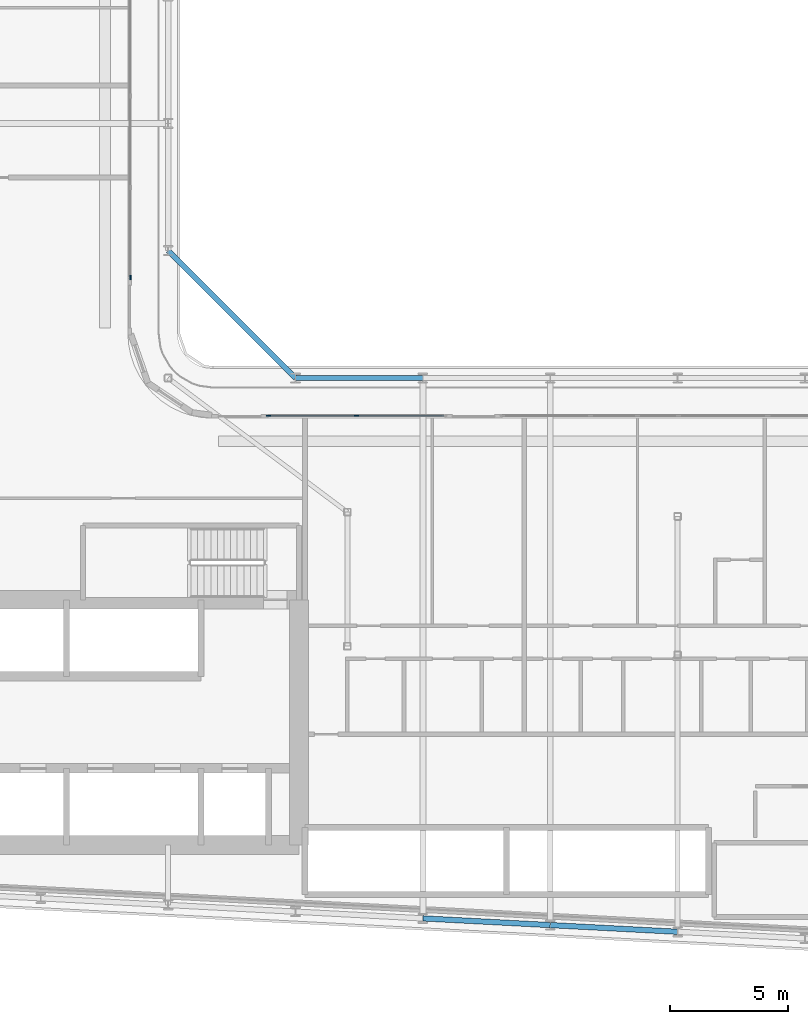
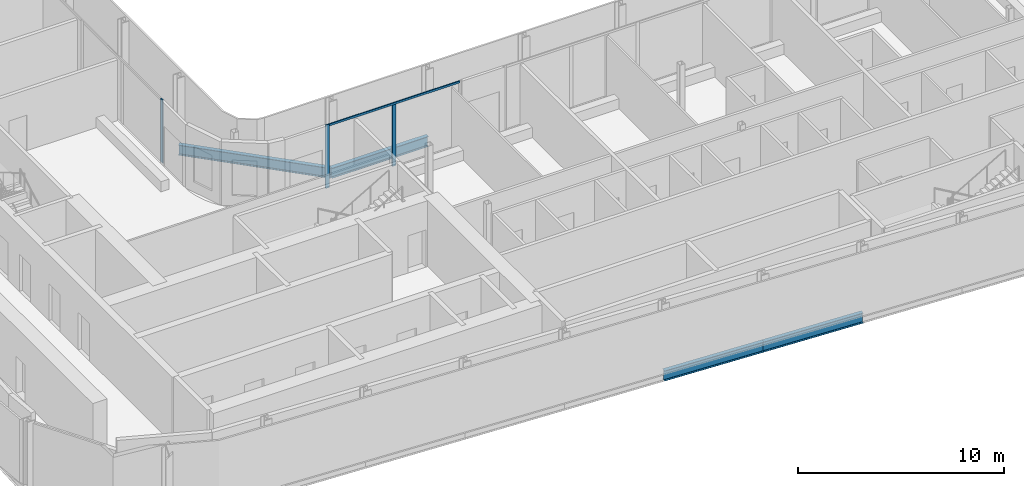
# One storey, part 4 of 27: 4 beams, 4 members, 2 elements without a shape of their own.
"""IFC4 building model written with IfcOpenShell, lengths in metres."""

import ifcopenshell
import ifcopenshell.guid

model = None  # the IFC model being written
_history = None  # IfcOwnerHistory: only IFC2X3 demands one
_inside = {}  # id of a spatial element -> (the spatial element, [elements in it])
_under = {}  # id of a project, library or spatial element -> (it, [spatial elements below it])
_declared = {}  # id of a project -> (the project, [libraries it declares])
_typed = {}  # id of a type object -> (the type object, [elements of that type])
_made_of = {}  # id of a material, layer set ... -> (it, [elements and type objects made of it])


def new_model(schema):
    """Start an empty IFC model of exactly this schema.

    Asked for "IFC4X3", IfcOpenShell would pick the latest addendum, in which some entities
    have other attributes; the version numbers below select the first issue.
    IFC2X3 requires an IfcOwnerHistory on every rooted entity: one is made here for all.
    """
    global model, _history
    if schema == "IFC4X3":
        model = ifcopenshell.file(schema_version=(4, 3, 0, 0))
    else:
        model = ifcopenshell.file(schema=schema)
    _inside.clear()
    _under.clear()
    _declared.clear()
    _typed.clear()
    _made_of.clear()
    _history = None
    if model.schema == "IFC2X3":
        org = make("IfcOrganization", Name="unknown")
        user = make(
            "IfcPersonAndOrganization",
            ThePerson=make("IfcPerson", FamilyName="unknown"),
            TheOrganization=org,
        )
        app = make(
            "IfcApplication",
            ApplicationDeveloper=org,
            Version="unknown",
            ApplicationFullName="unknown",
            ApplicationIdentifier="unknown",
        )
        _history = make(
            "IfcOwnerHistory",
            OwningUser=user,
            OwningApplication=app,
            ChangeAction="ADDED",
            CreationDate=0,
        )
    return model


def make(cls, **values):
    """One entity of the class cls with the attributes given. An attribute that is None is left unset."""
    return model.create_entity(
        cls, **{name: value for name, value in values.items() if value is not None}
    )


def rooted(cls, **values):
    """An entity with a GlobalId (a new one), such as an element, a storey or a relation."""
    return make(cls, GlobalId=ifcopenshell.guid.new(), OwnerHistory=_history, **values)


def si_unit(unit_type, name, prefix=None):
    """IfcSIUnit, for example si_unit("LENGTHUNIT", "METRE", prefix="MILLI")."""
    return make("IfcSIUnit", UnitType=unit_type, Prefix=prefix, Name=name)


def assignment(units):
    """IfcUnitAssignment: the units of a project."""
    return None if units is None else make("IfcUnitAssignment", Units=units)


def point(xyz):
    """IfcCartesianPoint."""
    return None if xyz is None else make("IfcCartesianPoint", Coordinates=xyz)


def direction(xyz):
    """IfcDirection."""
    return None if xyz is None else make("IfcDirection", DirectionRatios=xyz)


def frame(location, z_axis=None, x_axis=None):
    """IfcAxis2Placement3D, a coordinate frame: its origin and axes. An axis left out is left unset."""
    return make(
        "IfcAxis2Placement3D",
        Location=point(location),
        Axis=direction(z_axis),
        RefDirection=direction(x_axis),
    )


def frame_2d(location, x_axis=None):
    """IfcAxis2Placement2D, a coordinate frame in the plane: its origin and x axis."""
    return make(
        "IfcAxis2Placement2D", Location=point(location), RefDirection=direction(x_axis)
    )


def origin():
    """The frame at (0, 0, 0) with its axes left unset."""
    return frame((0.0, 0.0, 0.0))


def origin_2d():
    """The frame at (0, 0) in the plane with its x axis left unset."""
    return frame_2d((0.0, 0.0))


def place(relative_to, where):
    """IfcLocalPlacement: puts the frame where relative to a parent placement (None: the world)."""
    return make(
        "IfcLocalPlacement", PlacementRelTo=relative_to, RelativePlacement=where
    )


def context(
    kind, dimensions, precision=None, world=None, true_north=None, identifier=None
):
    """IfcGeometricRepresentationContext, for example the 3D "Model" context."""
    return make(
        "IfcGeometricRepresentationContext",
        ContextIdentifier=identifier,
        ContextType=kind,
        CoordinateSpaceDimension=dimensions,
        Precision=precision,
        WorldCoordinateSystem=world,
        TrueNorth=true_north,
    )


def subcontext(parent, identifier, kind, view, scale=None):
    """IfcGeometricRepresentationSubContext, for example "Body" below "Model"."""
    return make(
        "IfcGeometricRepresentationSubContext",
        ContextIdentifier=identifier,
        ContextType=kind,
        ParentContext=parent,
        TargetScale=scale,
        TargetView=view,
    )


def project(units=None, contexts=None):
    """IfcProject with its units and contexts."""
    return rooted(
        "IfcProject",
        Name="project",
        RepresentationContexts=contexts,
        UnitsInContext=assignment(units),
    )


def spatial(cls, under=None, at=None, **own):
    """A site, building, storey or space (cls), placed at a placement, below another one or the project."""
    s = rooted(cls, ObjectPlacement=at, **own)
    if under is not None:
        _under.setdefault(under.id(), (under, []))[1].append(s)
    return s


def profile(cls, at=None, kind="AREA", **sizes):
    """A parametric profile (cls). Its sizes go by their IFC names, for example OverallWidth=200.0."""
    return make(cls, ProfileType=kind, Position=at, **sizes)


def rectangle(**sizes):
    """IfcRectangleProfileDef."""
    return profile("IfcRectangleProfileDef", **sizes)


def i_section(**sizes):
    """IfcIShapeProfileDef."""
    return profile("IfcIShapeProfileDef", **sizes)


def extrude(swept, where, along, depth):
    """IfcExtrudedAreaSolid: the profile swept, set in the frame where, extruded along a direction by depth."""
    return make(
        "IfcExtrudedAreaSolid",
        SweptArea=swept,
        Position=where,
        ExtrudedDirection=direction(along),
        Depth=depth,
    )


def shape(context_of_items, identifier, shape_type, items):
    """IfcShapeRepresentation: the items that make up one representation, for example the "Body"."""
    return make(
        "IfcShapeRepresentation",
        ContextOfItems=context_of_items,
        RepresentationIdentifier=identifier,
        RepresentationType=shape_type,
        Items=items,
    )


def material(Name=None, Category=None):
    """IfcMaterial."""
    return make("IfcMaterial", Name=Name, Category=Category)


def layer(
    of_material, thickness, ventilated=None, Name=None, Category=None, Priority=None
):
    """IfcMaterialLayer: one layer of a wall or slab, of a material (None: an air gap)."""
    return make(
        "IfcMaterialLayer",
        Material=of_material,
        LayerThickness=thickness,
        IsVentilated=ventilated,
        Name=Name,
        Category=Category,
        Priority=Priority,
    )


def layer_set(layers, Name=None):
    """IfcMaterialLayerSet."""
    return make("IfcMaterialLayerSet", MaterialLayers=layers, LayerSetName=Name)


def material_profile(
    of_material, cross_section, Name=None, Category=None, Priority=None
):
    """IfcMaterialProfile: a cross section and its material."""
    return make(
        "IfcMaterialProfile",
        Name=Name,
        Material=of_material,
        Profile=cross_section,
        Priority=Priority,
        Category=Category,
    )


def profile_set(profiles, Name=None, composite=None):
    """IfcMaterialProfileSet."""
    return make(
        "IfcMaterialProfileSet",
        Name=Name,
        MaterialProfiles=profiles,
        CompositeProfile=composite,
    )


def made_of(thing, what):
    """Note that an element or type object is made of a material, layer set ...; save() writes the relation."""
    if what is not None:
        _made_of.setdefault(what.id(), (what, []))[1].append(thing)
    return thing


def type_object(cls, material=None, **own):
    """A type object (cls), such as IfcWallType, which elements share."""
    return made_of(rooted(cls, **own), material)


def element(
    cls,
    number,
    at=None,
    inside=None,
    cuts=None,
    type_object=None,
    material=None,
    context=None,
    identifier="Body",
    shape_type=None,
    held_by="IfcProductDefinitionShape",
    body=None,
    shapes=None,
    **own,
):
    """One element of the class cls, such as IfcWall. Its Tag is "e" and its number.

    at: its placement. inside: the storey or other place that contains it. cuts: it is an
    opening in that element (IfcRelVoidsElement). A single representation is given by context,
    identifier, shape_type and body (its items); several are given by shapes. held_by: the class
    of the entity that holds the representations. save() writes the other relations.
    """
    e = rooted(cls, Tag="e%d" % number, ObjectPlacement=at, **own)
    if body is not None:
        shapes = [shape(context, identifier, shape_type, body)]
    if shapes is not None:
        e.Representation = make(held_by, Representations=shapes)
    if inside is not None:
        _inside.setdefault(inside.id(), (inside, []))[1].append(e)
    if cuts is not None:
        rooted(
            "IfcRelVoidsElement", RelatingBuildingElement=cuts, RelatedOpeningElement=e
        )
    if type_object is not None:
        _typed.setdefault(type_object.id(), (type_object, []))[1].append(e)
    return made_of(e, material)


def aggregate(whole, parts):
    """IfcRelAggregates: a whole, such as a stair, and the parts it consists of."""
    return rooted("IfcRelAggregates", RelatingObject=whole, RelatedObjects=parts)


def save(model, path):
    """Write the relations noted so far, then the file.

    IfcRelAggregates (storeys below a building ...), IfcRelContainedInSpatialStructure (elements
    in a storey), IfcRelDefinesByType, IfcRelAssociatesMaterial and IfcRelDeclares: one each for
    every whole, place, type object, material and project.
    """
    for whole, parts in _under.values():
        aggregate(whole, parts)
    for where, things in _inside.values():
        rooted(
            "IfcRelContainedInSpatialStructure",
            RelatedElements=things,
            RelatingStructure=where,
        )
    for kind, things in _typed.values():
        rooted("IfcRelDefinesByType", RelatedObjects=things, RelatingType=kind)
    for what, things in _made_of.values():
        rooted("IfcRelAssociatesMaterial", RelatedObjects=things, RelatingMaterial=what)
    for by, libraries in _declared.values():
        rooted("IfcRelDeclares", RelatingContext=by, RelatedDefinitions=libraries)
    model.write(path)


model = new_model("IFC4")

# Units and contexts
model_context = context("Model", 3, precision=1e-05, world=origin(), true_north=direction((0.0, 1.0)))
body_context = subcontext(model_context, "Body", "Model", "MODEL_VIEW")
ifc_project = project(units=[si_unit("LENGTHUNIT", "METRE"), si_unit("AREAUNIT", "SQUARE_METRE"), si_unit("VOLUMEUNIT", "CUBIC_METRE"), si_unit("PLANEANGLEUNIT", "RADIAN"), si_unit("MASSUNIT", "GRAM", prefix="KILO")], contexts=[model_context])

# Site, building, storey
site_placement = place(None, origin())
site = spatial("IfcSite", under=ifc_project, at=site_placement, CompositionType="ELEMENT")
building_placement = place(site_placement, origin())
building = spatial("IfcBuilding", under=site, at=building_placement, Name="Kheshtan School and Residences Tower", CompositionType="ELEMENT")
storey_placement = place(building_placement, frame((0.0, 0.0, 152.60009765625)))
storey = spatial("IfcBuildingStorey", under=building, at=storey_placement, Name="L35", CompositionType="ELEMENT", Elevation=152.60009765625)

# Beams
ifc_material_1 = material(Name="Steel ASTM A992 Grade 50", Category="steel")
ifc_material_profile_1 = material_profile(ifc_material_1, i_section(OverallWidth=0.22802734375, OverallDepth=0.60302734375, WebThickness=0.010498046875, FlangeThickness=0.014892578125, FilletRadius=0.013427734375, at=origin_2d()), Name="W610x101")
ifc_profile_set_1 = profile_set([ifc_material_profile_1], Name="Steel ASTM A992 Grade 50")
beam_type = type_object("IfcBeamType", Name="Beam SP2 W610x101 ASTM A992 Grade 50", PredefinedType="BEAM", material=ifc_profile_set_1)
beam_1_placement = place(storey_placement, frame((47.60009765625, 51.0, -0.45166015625), z_axis=(0.707106781187, -0.707106781187, 0.0), x_axis=(0.707106781187, 0.707106781187, 0.0)))
element("IfcBeam", 1, at=beam_1_placement, inside=storey, type_object=beam_type, Name="Spandrel beam C079-C061", PredefinedType="BEAM", context=body_context, shape_type="SweptSolid", body=[
    extrude(i_section(OverallWidth=0.22802734375, OverallDepth=0.60302734375, WebThickness=0.010498046875, FlangeThickness=0.014892578125, FilletRadius=0.013427734375, at=origin_2d()), origin(), (0.0, 0.0, 1.0), 7.63671875),
])
beam_2_placement = place(storey_placement, frame((53.0, 45.60009765625, -0.45166015625), z_axis=(1.0, 0.0, 0.0), x_axis=(0.0, 1.0, 0.0)))
element("IfcBeam", 2, at=beam_2_placement, inside=storey, type_object=beam_type, Name="Spandrel beam C061-C062", PredefinedType="BEAM", context=body_context, shape_type="SweptSolid", body=[
    extrude(i_section(OverallWidth=0.22802734375, OverallDepth=0.60302734375, WebThickness=0.010498046875, FlangeThickness=0.014892578125, FilletRadius=0.013427734375, at=origin_2d()), origin(), (0.0, 0.0, 1.0), 5.39990234375),
])
beam_3_placement = place(storey_placement, frame((69.199951171875, 22.126953125, -0.45166015625), z_axis=(-0.998620447272, 0.05250906864, 0.0), x_axis=(-0.05250906864, -0.998620447272, 0.0)))
element("IfcBeam", 3, at=beam_3_placement, inside=storey, type_object=beam_type, Name="Spandrel beam C014-C016", PredefinedType="BEAM", context=body_context, shape_type="SweptSolid", body=[
    extrude(i_section(OverallWidth=0.22802734375, OverallDepth=0.60302734375, WebThickness=0.010498046875, FlangeThickness=0.014892578125, FilletRadius=0.013427734375, at=origin_2d()), origin(), (0.0, 0.0, 1.0), 5.407470703125),
])
beam_4_placement = place(storey_placement, frame((63.800048828125, 22.410888671875, -0.45166015625), z_axis=(-0.998618203458, 0.052551724256, 0.0), x_axis=(-0.052551724256, -0.998618203458, 0.0)))
element("IfcBeam", 4, at=beam_4_placement, inside=storey, type_object=beam_type, Name="Spandrel beam C016-C018", PredefinedType="BEAM", context=body_context, shape_type="SweptSolid", body=[
    extrude(i_section(OverallWidth=0.22802734375, OverallDepth=0.60302734375, WebThickness=0.010498046875, FlangeThickness=0.014892578125, FilletRadius=0.013427734375, at=origin_2d()), origin(), (0.0, 0.0, 1.0), 5.40771484375),
])

# Curtain wall, member
ifc_material_2 = material(Name="Clear low-e glass in thermally broken aluminium frame", Category="aluminium")
ifc_layer = layer(ifc_material_2, 0.199951171875)
ifc_layer_set = layer_set([ifc_layer], Name="Curtain wall CW-L")
curtain_wall_type = type_object("IfcCurtainWallType", Name="Curtain wall CW-L", PredefinedType="NOTDEFINED", material=ifc_layer_set)
curtain_wall_1_placement = place(storey_placement, origin())
curtain_wall_1 = element("IfcCurtainWall", 5, at=curtain_wall_1_placement, inside=storey, type_object=curtain_wall_type, Name="Curtain wall CWL8", PredefinedType="NOTDEFINED")
ifc_material_3 = material(Name="Thermally broken aluminium, dark bronze anodised", Category="aluminium")
ifc_material_profile_2 = material_profile(ifc_material_3, rectangle(XDim=0.06005859375, YDim=0.199951171875, at=origin_2d()), Name="CW-L mullion 60x200")
ifc_profile_set_2 = profile_set([ifc_material_profile_2], Name="Thermally broken aluminium, dark bronze anodised")
member_type_1 = type_object("IfcMemberType", Name="CW-L mullion 60x200", PredefinedType="MULLION", material=ifc_profile_set_2)
member_1_placement = place(storey_placement, frame((46.0, 49.860107421875, 0.0), z_axis=(0.0, 0.0, 1.0), x_axis=(1.0, 0.0, 0.0)))
member_1 = element("IfcMember", 6, at=member_1_placement, type_object=member_type_1, Name="CWL8 mullion 3", PredefinedType="MULLION", context=body_context, shape_type="SweptSolid", body=[
    extrude(rectangle(XDim=0.06005859375, YDim=0.199951171875, at=origin_2d()), origin(), (0.0, 0.0, 1.0), 3.75),
])
aggregate(curtain_wall_1, [member_1])

# Curtain wall, members
curtain_wall_2_placement = place(storey_placement, origin())
curtain_wall_2 = element("IfcCurtainWall", 7, at=curtain_wall_2_placement, inside=storey, type_object=curtain_wall_type, Name="Curtain wall CWL12a", PredefinedType="NOTDEFINED")
member_2_placement = place(storey_placement, frame((51.860107421875, 44.0, 0.0), z_axis=(0.0, 0.0, 1.0), x_axis=(0.0, 1.0, 0.0)))
member_2 = element("IfcMember", 8, at=member_2_placement, type_object=member_type_1, Name="CWL12a mullion 1", PredefinedType="MULLION", context=body_context, shape_type="SweptSolid", body=[
    extrude(rectangle(XDim=0.06005859375, YDim=0.199951171875, at=origin_2d()), origin(), (0.0, 0.0, 1.0), 3.75),
])
member_3_placement = place(storey_placement, frame((55.5888671875, 44.0, 0.0), z_axis=(0.0, 0.0, 1.0), x_axis=(0.0, 1.0, 0.0)))
member_3 = element("IfcMember", 9, at=member_3_placement, type_object=member_type_1, Name="CWL12a mullion 2", PredefinedType="MULLION", context=body_context, shape_type="SweptSolid", body=[
    extrude(rectangle(XDim=0.06005859375, YDim=0.199951171875, at=origin_2d()), origin(), (0.0, 0.0, 1.0), 3.6298828125),
])
ifc_material_profile_3 = material_profile(ifc_material_3, rectangle(XDim=0.06005859375, YDim=0.1201171875, at=origin_2d()), Name="CW-L transom 60x120")
ifc_profile_set_3 = profile_set([ifc_material_profile_3], Name="Thermally broken aluminium, dark bronze anodised")
member_type_2 = type_object("IfcMemberType", Name="CW-L transom 60x120", PredefinedType="USERDEFINED", material=ifc_profile_set_3)
member_4_placement = place(storey_placement, frame((51.889892578125, 44.0, 3.68994140625), z_axis=(1.0, 0.0, 0.0), x_axis=(0.0, 1.0, 0.0)))
member_4 = element("IfcMember", 10, at=member_4_placement, type_object=member_type_2, Name="CWL12a transom 1", ObjectType="TRANSOM", PredefinedType="USERDEFINED", context=body_context, shape_type="SweptSolid", body=[
    extrude(rectangle(XDim=0.06005859375, YDim=0.1201171875, at=origin_2d()), origin(), (0.0, 0.0, 1.0), 7.397705078125),
])
aggregate(curtain_wall_2, [member_2, member_3, member_4])

save(model, "model.ifc")
